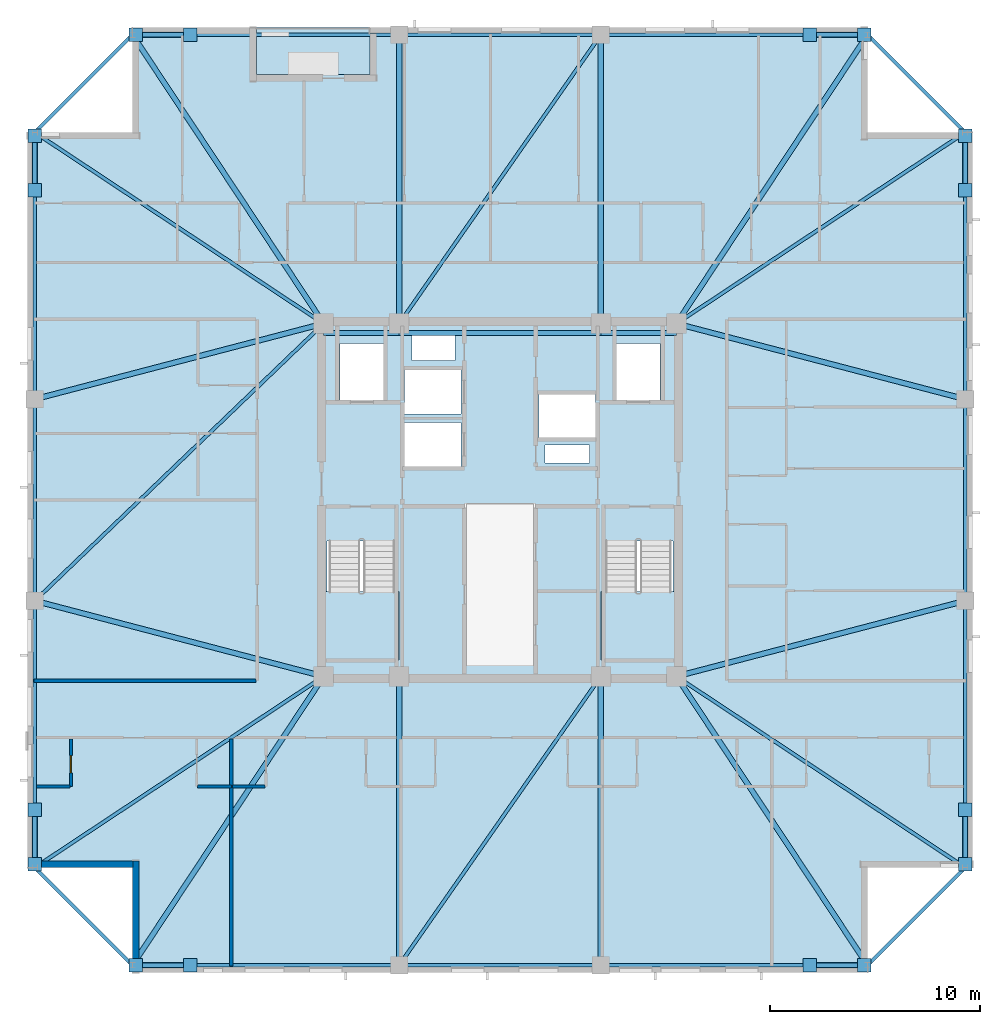
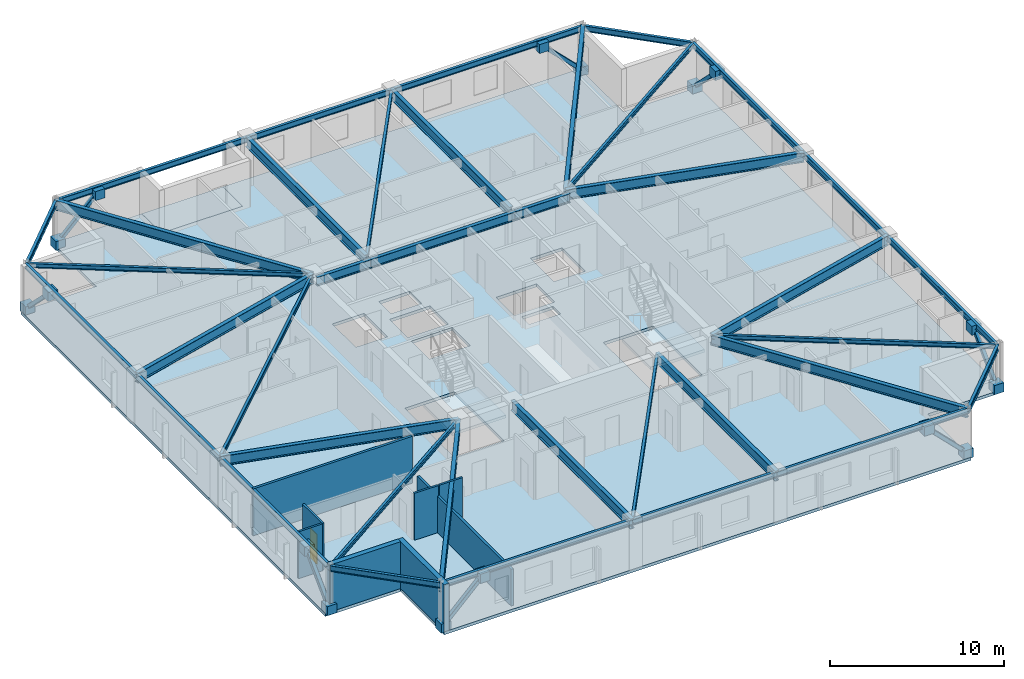
# One storey, part 6 of 17: 38 beams, 16 plates, 8 members, 8 walls, 4 slabs, 1 door, 1 opening, 2 elements without a shape of their own.
"""IFC4 building model written with IfcOpenShell, lengths in metres."""

from ifc_helpers import new_model, si_unit, direction, frame, frame_2d, origin, origin_2d, place, context, subcontext, project, spatial, polyline, rectangle, hollow_rectangle, i_section, outline, extrude, material, layer, layer_set, material_profile, profile_set, type_object, element, fill, aggregate, save


model = new_model("IFC4")

# Units and contexts
model_context = context("Model", 3, precision=1e-05, world=origin(), true_north=direction((0.0, 1.0)))
body_context = subcontext(model_context, "Body", "Model", "MODEL_VIEW")
ifc_project = project(units=[si_unit("LENGTHUNIT", "METRE"), si_unit("AREAUNIT", "SQUARE_METRE"), si_unit("VOLUMEUNIT", "CUBIC_METRE"), si_unit("PLANEANGLEUNIT", "RADIAN"), si_unit("MASSUNIT", "GRAM", prefix="KILO")], contexts=[model_context])

# Site, building, storey
site_placement = place(None, origin())
site = spatial("IfcSite", under=ifc_project, at=site_placement, CompositionType="ELEMENT")
building_placement = place(site_placement, origin())
building = spatial("IfcBuilding", under=site, at=building_placement, Name="Cairnveth Concourse Tower", CompositionType="ELEMENT")
storey_placement = place(building_placement, frame((0.0, 0.0, 220.0)))
storey = spatial("IfcBuildingStorey", under=building, at=storey_placement, Name="L60", CompositionType="ELEMENT", Elevation=220.0)

# Beams
ifc_material_1 = material(Name="Steel Grade 350", Category="steel")
ifc_material_profile_1 = material_profile(ifc_material_1, i_section(OverallWidth=0.22802734375, OverallDepth=0.60693359375, WebThickness=0.01123046875, FlangeThickness=0.017333984375, FilletRadius=0.013916015625, at=origin_2d()), Name="610UB113")
ifc_profile_set_1 = profile_set([ifc_material_profile_1], Name="Steel Grade 350")
beam_type_1 = type_object("IfcBeamType", Name="CORE TIE BEAM 610UB113", PredefinedType="T_BEAM", material=ifc_profile_set_1)
for number, where, z_axis, x_axis, name in (
    (1, (43.60009765625, 46.949951171875, 2.986572265625), (1.0, 0.0, 0.0), (0.0, 1.0, 0.0), "Beam CT-N1 L60"),
    (2, (56.800048828125, 46.949951171875, 2.986572265625), (1.0, 0.0, 0.0), (0.0, 1.0, 0.0), "Beam CT-N3 L60"),
):
    element("IfcBeam", number, at=place(storey_placement, frame(where, z_axis=z_axis, x_axis=x_axis)), inside=storey, type_object=beam_type_1, Name=name, PredefinedType="T_BEAM", context=body_context, shape_type="SweptSolid", body=[
        extrude(i_section(OverallWidth=0.22802734375, OverallDepth=0.60693359375, WebThickness=0.01123046875, FlangeThickness=0.017333984375, FilletRadius=0.013916015625, at=origin_2d()), origin(), (0.0, 0.0, 1.0), 3.599853515625),
    ])
beam_1_placement = place(storey_placement, frame((47.199951171875, 46.949951171875, 2.986572265625), z_axis=(1.0, 0.0, 0.0), x_axis=(0.0, 1.0, 0.0)))
element("IfcBeam", 3, at=beam_1_placement, inside=storey, type_object=beam_type_1, Name="Beam CT-N2 L60", PredefinedType="T_BEAM", context=body_context, shape_type="SweptSolid", body=[
    extrude(i_section(OverallWidth=0.22802734375, OverallDepth=0.60693359375, WebThickness=0.01123046875, FlangeThickness=0.017333984375, FilletRadius=0.013916015625, at=origin_2d()), origin(), (0.0, 0.0, 1.0), 9.60009765625),
])
ifc_material_profile_2 = material_profile(ifc_material_1, i_section(OverallWidth=0.166015625, OverallDepth=0.306884765625, WebThickness=0.006591796875, FlangeThickness=0.01171875, FilletRadius=0.010986328125, at=origin_2d()), Name="310UB46.2")
ifc_profile_set_2 = profile_set([ifc_material_profile_2], Name="Steel Grade 350")
beam_type_2 = type_object("IfcBeamType", Name="ZONE 3 FLOOR JOIST 310UB46.2", PredefinedType="JOIST", material=ifc_profile_set_2)
for number, where, z_axis, x_axis, name in (
    (4, (29.85009765625, 21.5, 3.136474609375), (0.833908956207, 0.551902031848, 0.0), (-0.551902031848, 0.833908956207, 0.0), "Beam FJ-CSW2 L60"),
    (5, (74.14990234375, 21.5, 3.136474609375), (-0.833908956207, 0.551902031848, 0.0), (-0.551902031848, -0.833908956207, 0.0), "Beam FJ-CSE2 L60"),
    (6, (74.14990234375, 56.5, 3.136474609375), (-0.833908956207, -0.551902031848, 0.0), (0.551902031848, -0.833908956207, 0.0), "Beam FJ-CNE2 L60"),
    (7, (29.85009765625, 56.5, 3.136474609375), (0.833908956207, -0.551902031848, 0.0), (0.551902031848, 0.833908956207, 0.0), "Beam FJ-CNW2 L60"),
):
    element("IfcBeam", number, at=place(storey_placement, frame(where, z_axis=z_axis, x_axis=x_axis)), inside=storey, type_object=beam_type_2, Name=name, PredefinedType="JOIST", context=body_context, shape_type="SweptSolid", body=[
        extrude(i_section(OverallWidth=0.166015625, OverallDepth=0.306884765625, WebThickness=0.006591796875, FlangeThickness=0.01171875, FilletRadius=0.010986328125, at=origin_2d()), origin(), (0.0, 0.0, 1.0), 16.488525390625),
    ])
for number, where, z_axis, x_axis, name in (
    (8, (47.199951171875, 16.85009765625, 3.136474609375), (0.572465304893, 0.819928944905, 0.0), (-0.819928944905, 0.572465304893, 0.0), "Beam FJ-S-M1 L60"),
    (9, (47.199951171875, 47.39990234375, 3.136474609375), (0.572465304893, 0.819928944905, 0.0), (-0.819928944905, 0.572465304893, 0.0), "Beam FJ-N-M1 L60"),
):
    element("IfcBeam", number, at=place(storey_placement, frame(where, z_axis=z_axis, x_axis=x_axis)), inside=storey, type_object=beam_type_2, Name=name, PredefinedType="JOIST", context=body_context, shape_type="SweptSolid", body=[
        extrude(i_section(OverallWidth=0.166015625, OverallDepth=0.306884765625, WebThickness=0.006591796875, FlangeThickness=0.01171875, FilletRadius=0.010986328125, at=origin_2d()), origin(), (0.0, 0.0, 1.0), 16.769775390625),
    ])
beam_2_placement = place(storey_placement, frame((29.85009765625, 34.199951171875, 3.136474609375), z_axis=(0.721388600838, 0.692530495055, 0.0), x_axis=(-0.692530495055, 0.721388600838, 0.0)))
element("IfcBeam", 10, at=beam_2_placement, inside=storey, type_object=beam_type_2, Name="Beam FJ-W-M1 L60", PredefinedType="JOIST", context=body_context, shape_type="SweptSolid", body=[
    extrude(i_section(OverallWidth=0.166015625, OverallDepth=0.306884765625, WebThickness=0.006591796875, FlangeThickness=0.01171875, FilletRadius=0.010986328125, at=origin_2d()), origin(), (0.0, 0.0, 1.0), 19.060546875),
])

# Members
ifc_material_2 = material(Name="Steel C350L0 (350 MPa)", Category="steel")
ifc_material_profile_3 = material_profile(ifc_material_2, hollow_rectangle(XDim=0.25, YDim=0.25, WallThickness=0.012451171875, InnerFilletRadius=0.012939453125, OuterFilletRadius=0.02490234375, at=origin_2d()), Name="250x250x12.5SHS")
ifc_profile_set_3 = profile_set([ifc_material_profile_3], Name="Steel C350L0 (350 MPa)")
member_type = type_object("IfcMemberType", Name="ZONE 3 PIER BRACE 250X250X12.5SHS", PredefinedType="BRACE", material=ifc_profile_set_3)
for number, where, z_axis, x_axis, name in (
    (11, (34.64990234375, 16.85009765625, 0.25), (0.708469186186, 0.0, 0.705741746126), (0.0, 1.0, 0.0), "Structural Brace PB-S1 L60"),
    (12, (69.35009765625, 16.85009765625, 0.25), (-0.708469186186, 0.0, 0.705741746126), (0.0, -1.0, 0.0), "Structural Brace PB-S2 L60"),
    (13, (34.64990234375, 61.14990234375, 0.25), (0.708469186186, 0.0, 0.705741746126), (0.0, 1.0, 0.0), "Structural Brace PB-N1 L60"),
    (14, (69.35009765625, 61.14990234375, 0.25), (-0.708469186186, 0.0, 0.705741746126), (0.0, -1.0, 0.0), "Structural Brace PB-N2 L60"),
    (15, (29.85009765625, 21.64990234375, 0.25), (0.0, 0.708469186186, 0.705741746126), (-1.0, 0.0, 0.0), "Structural Brace PB-W1 L60"),
    (16, (29.85009765625, 56.35009765625, 0.25), (0.0, -0.708469186186, 0.705741746126), (1.0, 0.0, 0.0), "Structural Brace PB-W2 L60"),
    (17, (74.14990234375, 21.64990234375, 0.25), (0.0, 0.708469186186, 0.705741746126), (-1.0, 0.0, 0.0), "Structural Brace PB-E1 L60"),
    (18, (74.14990234375, 56.35009765625, 0.25), (0.0, -0.708469186186, 0.705741746126), (1.0, 0.0, 0.0), "Structural Brace PB-E2 L60"),
):
    element("IfcMember", number, at=place(storey_placement, frame(where, z_axis=z_axis, x_axis=x_axis)), inside=storey, type_object=member_type, Name=name, PredefinedType="BRACE", context=body_context, shape_type="SweptSolid", body=[
        extrude(hollow_rectangle(XDim=0.25, YDim=0.25, WallThickness=0.012451171875, InnerFilletRadius=0.012939453125, OuterFilletRadius=0.02490234375, at=origin_2d()), origin(), (0.0, 0.0, 1.0), 3.669921875),
    ])

# Beams
ifc_material_profile_4 = material_profile(ifc_material_1, i_section(OverallWidth=0.25, OverallDepth=0.69189453125, WebThickness=0.010009765625, FlangeThickness=0.02490234375, at=origin_2d()), Name="700WB150")
ifc_profile_set_4 = profile_set([ifc_material_profile_4], Name="Steel Grade 350")
beam_type_3 = type_object("IfcBeamType", Name="ZONE 3 RADIAL GIRDER 700WB150", PredefinedType="BEAM", material=ifc_profile_set_4)
for number, where, z_axis, x_axis, name in (
    (19, (47.199951171875, 16.85009765625, 2.944091796875), (0.0, 1.0, 0.0), (-1.0, 0.0, 0.0), "Beam RG-S1 L60"),
    (20, (56.800048828125, 16.85009765625, 2.944091796875), (0.0, 1.0, 0.0), (-1.0, 0.0, 0.0), "Beam RG-S2 L60"),
    (21, (47.199951171875, 47.39990234375, 2.944091796875), (0.0, 1.0, 0.0), (-1.0, 0.0, 0.0), "Beam RG-N1 L60"),
    (22, (56.800048828125, 47.39990234375, 2.944091796875), (0.0, 1.0, 0.0), (-1.0, 0.0, 0.0), "Beam RG-N2 L60"),
):
    element("IfcBeam", number, at=place(storey_placement, frame(where, z_axis=z_axis, x_axis=x_axis)), inside=storey, type_object=beam_type_3, Name=name, PredefinedType="BEAM", context=body_context, shape_type="SweptSolid", body=[
        extrude(i_section(OverallWidth=0.25, OverallDepth=0.69189453125, WebThickness=0.010009765625, FlangeThickness=0.02490234375, at=origin_2d()), origin(), (0.0, 0.0, 1.0), 13.75),
    ])
for number, where, z_axis, x_axis, name in (
    (23, (29.85009765625, 34.199951171875, 2.944091796875), (0.967395273598, -0.253271365575, 0.0), (0.253271365575, 0.967395273598, 0.0), "Beam RG-W1 L60"),
    (24, (29.85009765625, 43.800048828125, 2.944091796875), (0.967395273598, 0.253271365575, 0.0), (-0.253271365575, 0.967395273598, 0.0), "Beam RG-W2 L60"),
    (25, (60.39990234375, 30.60009765625, 2.944091796875), (0.967395273598, 0.253271365575, 0.0), (-0.253271365575, 0.967395273598, 0.0), "Beam RG-E1 L60"),
    (26, (60.39990234375, 47.39990234375, 2.944091796875), (0.967395273598, -0.253271365575, 0.0), (0.253271365575, 0.967395273598, 0.0), "Beam RG-E2 L60"),
):
    element("IfcBeam", number, at=place(storey_placement, frame(where, z_axis=z_axis, x_axis=x_axis)), inside=storey, type_object=beam_type_3, Name=name, PredefinedType="BEAM", context=body_context, shape_type="SweptSolid", body=[
        extrude(i_section(OverallWidth=0.25, OverallDepth=0.69189453125, WebThickness=0.010009765625, FlangeThickness=0.02490234375, at=origin_2d()), origin(), (0.0, 0.0, 1.0), 14.21337890625),
    ])
for number, where, z_axis, x_axis, name in (
    (27, (34.5, 16.85009765625, 2.944091796875), (0.551902031848, 0.833908956207, 0.0), (-0.833908956207, 0.551902031848, 0.0), "Beam RG-CSW L60"),
    (28, (69.5, 16.85009765625, 2.944091796875), (-0.551902031848, 0.833908956207, 0.0), (-0.833908956207, -0.551902031848, 0.0), "Beam RG-CSE L60"),
    (29, (69.5, 61.14990234375, 2.944091796875), (-0.551902031848, -0.833908956207, 0.0), (0.833908956207, -0.551902031848, 0.0), "Beam RG-CNE L60"),
    (30, (34.5, 61.14990234375, 2.944091796875), (0.551902031848, -0.833908956207, 0.0), (0.833908956207, 0.551902031848, 0.0), "Beam RG-CNW L60"),
):
    element("IfcBeam", number, at=place(storey_placement, frame(where, z_axis=z_axis, x_axis=x_axis)), inside=storey, type_object=beam_type_3, Name=name, PredefinedType="BEAM", context=body_context, shape_type="SweptSolid", body=[
        extrude(i_section(OverallWidth=0.25, OverallDepth=0.69189453125, WebThickness=0.010009765625, FlangeThickness=0.02490234375, at=origin_2d()), origin(), (0.0, 0.0, 1.0), 16.488525390625),
    ])
ifc_material_profile_5 = material_profile(ifc_material_1, i_section(OverallWidth=0.177978515625, OverallDepth=0.406005859375, WebThickness=0.0078125, FlangeThickness=0.0126953125, FilletRadius=0.010986328125, at=origin_2d()), Name="410UB59.7")
ifc_profile_set_5 = profile_set([ifc_material_profile_5], Name="Steel Grade 350")
beam_type_4 = type_object("IfcBeamType", Name="ZONE 3 SPANDREL BEAM 410UB59.7", PredefinedType="SPANDREL", material=ifc_profile_set_5)
beam_3_placement = place(storey_placement, frame((34.5, 16.85009765625, 3.0869140625), z_axis=(1.0, 0.0, 0.0), x_axis=(0.0, 1.0, 0.0)))
element("IfcBeam", 31, at=beam_3_placement, inside=storey, type_object=beam_type_4, Name="Beam SP-S1 L60", PredefinedType="SPANDREL", context=body_context, shape_type="SweptSolid", body=[
    extrude(i_section(OverallWidth=0.177978515625, OverallDepth=0.406005859375, WebThickness=0.0078125, FlangeThickness=0.0126953125, FilletRadius=0.010986328125, at=origin_2d()), origin(), (0.0, 0.0, 1.0), 12.699951171875),
])
beam_4_placement = place(storey_placement, frame((47.199951171875, 16.85009765625, 3.0869140625), z_axis=(1.0, 0.0, 0.0), x_axis=(0.0, 1.0, 0.0)))
element("IfcBeam", 32, at=beam_4_placement, inside=storey, type_object=beam_type_4, Name="Beam SP-S2 L60", PredefinedType="SPANDREL", context=body_context, shape_type="SweptSolid", body=[
    extrude(i_section(OverallWidth=0.177978515625, OverallDepth=0.406005859375, WebThickness=0.0078125, FlangeThickness=0.0126953125, FilletRadius=0.010986328125, at=origin_2d()), origin(), (0.0, 0.0, 1.0), 9.60009765625),
])
for number, where, z_axis, x_axis, name in (
    (33, (56.800048828125, 16.85009765625, 3.0869140625), (1.0, 0.0, 0.0), (0.0, 1.0, 0.0), "Beam SP-S3 L60"),
    (34, (34.5, 61.14990234375, 3.0869140625), (1.0, 0.0, 0.0), (0.0, 1.0, 0.0), "Beam SP-N1 L60"),
):
    element("IfcBeam", number, at=place(storey_placement, frame(where, z_axis=z_axis, x_axis=x_axis)), inside=storey, type_object=beam_type_4, Name=name, PredefinedType="SPANDREL", context=body_context, shape_type="SweptSolid", body=[
        extrude(i_section(OverallWidth=0.177978515625, OverallDepth=0.406005859375, WebThickness=0.0078125, FlangeThickness=0.0126953125, FilletRadius=0.010986328125, at=origin_2d()), origin(), (0.0, 0.0, 1.0), 12.699951171875),
    ])
beam_5_placement = place(storey_placement, frame((47.199951171875, 61.14990234375, 3.0869140625), z_axis=(1.0, 0.0, 0.0), x_axis=(0.0, 1.0, 0.0)))
element("IfcBeam", 35, at=beam_5_placement, inside=storey, type_object=beam_type_4, Name="Beam SP-N2 L60", PredefinedType="SPANDREL", context=body_context, shape_type="SweptSolid", body=[
    extrude(i_section(OverallWidth=0.177978515625, OverallDepth=0.406005859375, WebThickness=0.0078125, FlangeThickness=0.0126953125, FilletRadius=0.010986328125, at=origin_2d()), origin(), (0.0, 0.0, 1.0), 9.60009765625),
])
for number, where, z_axis, x_axis, name in (
    (36, (56.800048828125, 61.14990234375, 3.0869140625), (1.0, 0.0, 0.0), (0.0, 1.0, 0.0), "Beam SP-N3 L60"),
    (37, (29.85009765625, 21.5, 3.0869140625), (0.0, 1.0, 0.0), (-1.0, 0.0, 0.0), "Beam SP-W1 L60"),
):
    element("IfcBeam", number, at=place(storey_placement, frame(where, z_axis=z_axis, x_axis=x_axis)), inside=storey, type_object=beam_type_4, Name=name, PredefinedType="SPANDREL", context=body_context, shape_type="SweptSolid", body=[
        extrude(i_section(OverallWidth=0.177978515625, OverallDepth=0.406005859375, WebThickness=0.0078125, FlangeThickness=0.0126953125, FilletRadius=0.010986328125, at=origin_2d()), origin(), (0.0, 0.0, 1.0), 12.699951171875),
    ])
beam_6_placement = place(storey_placement, frame((29.85009765625, 34.199951171875, 3.0869140625), z_axis=(0.0, 1.0, 0.0), x_axis=(-1.0, 0.0, 0.0)))
element("IfcBeam", 38, at=beam_6_placement, inside=storey, type_object=beam_type_4, Name="Beam SP-W2 L60", PredefinedType="SPANDREL", context=body_context, shape_type="SweptSolid", body=[
    extrude(i_section(OverallWidth=0.177978515625, OverallDepth=0.406005859375, WebThickness=0.0078125, FlangeThickness=0.0126953125, FilletRadius=0.010986328125, at=origin_2d()), origin(), (0.0, 0.0, 1.0), 9.60009765625),
])
for number, where, z_axis, x_axis, name in (
    (39, (29.85009765625, 43.800048828125, 3.0869140625), (0.0, 1.0, 0.0), (-1.0, 0.0, 0.0), "Beam SP-W3 L60"),
    (40, (74.14990234375, 21.5, 3.0869140625), (0.0, 1.0, 0.0), (-1.0, 0.0, 0.0), "Beam SP-E1 L60"),
):
    element("IfcBeam", number, at=place(storey_placement, frame(where, z_axis=z_axis, x_axis=x_axis)), inside=storey, type_object=beam_type_4, Name=name, PredefinedType="SPANDREL", context=body_context, shape_type="SweptSolid", body=[
        extrude(i_section(OverallWidth=0.177978515625, OverallDepth=0.406005859375, WebThickness=0.0078125, FlangeThickness=0.0126953125, FilletRadius=0.010986328125, at=origin_2d()), origin(), (0.0, 0.0, 1.0), 12.699951171875),
    ])
beam_7_placement = place(storey_placement, frame((74.14990234375, 34.199951171875, 3.0869140625), z_axis=(0.0, 1.0, 0.0), x_axis=(-1.0, 0.0, 0.0)))
element("IfcBeam", 41, at=beam_7_placement, inside=storey, type_object=beam_type_4, Name="Beam SP-E2 L60", PredefinedType="SPANDREL", context=body_context, shape_type="SweptSolid", body=[
    extrude(i_section(OverallWidth=0.177978515625, OverallDepth=0.406005859375, WebThickness=0.0078125, FlangeThickness=0.0126953125, FilletRadius=0.010986328125, at=origin_2d()), origin(), (0.0, 0.0, 1.0), 9.60009765625),
])
beam_8_placement = place(storey_placement, frame((74.14990234375, 43.800048828125, 3.0869140625), z_axis=(0.0, 1.0, 0.0), x_axis=(-1.0, 0.0, 0.0)))
element("IfcBeam", 42, at=beam_8_placement, inside=storey, type_object=beam_type_4, Name="Beam SP-E3 L60", PredefinedType="SPANDREL", context=body_context, shape_type="SweptSolid", body=[
    extrude(i_section(OverallWidth=0.177978515625, OverallDepth=0.406005859375, WebThickness=0.0078125, FlangeThickness=0.0126953125, FilletRadius=0.010986328125, at=origin_2d()), origin(), (0.0, 0.0, 1.0), 12.699951171875),
])
for number, where, z_axis, x_axis, name in (
    (43, (29.85009765625, 21.5, 3.0869140625), (0.707106781187, -0.707106781187, 0.0), (0.707106781187, 0.707106781187, 0.0), "Beam SP-SW L60"),
    (44, (69.5, 16.85009765625, 3.0869140625), (0.707106781187, 0.707106781187, 0.0), (-0.707106781187, 0.707106781187, 0.0), "Beam SP-SE L60"),
    (45, (69.5, 61.14990234375, 3.0869140625), (0.707106781187, -0.707106781187, 0.0), (0.707106781187, 0.707106781187, 0.0), "Beam SP-NE L60"),
    (46, (29.85009765625, 56.5, 3.0869140625), (0.707106781187, 0.707106781187, 0.0), (-0.707106781187, 0.707106781187, 0.0), "Beam SP-NW L60"),
):
    element("IfcBeam", number, at=place(storey_placement, frame(where, z_axis=z_axis, x_axis=x_axis)), inside=storey, type_object=beam_type_4, Name=name, PredefinedType="SPANDREL", context=body_context, shape_type="SweptSolid", body=[
        extrude(i_section(OverallWidth=0.177978515625, OverallDepth=0.406005859375, WebThickness=0.0078125, FlangeThickness=0.0126953125, FilletRadius=0.010986328125, at=origin_2d()), origin(), (0.0, 0.0, 1.0), 6.575927734375),
    ])

# Plates
ifc_layer_1 = layer(ifc_material_1, 0.031982421875)
ifc_layer_set_1 = layer_set([ifc_layer_1], Name="Steel Grade 350")
plate_type = type_object("IfcPlateType", Name="PERIMETER BRACE GUSSET PLATE 32", PredefinedType="USERDEFINED", material=ifc_layer_set_1)
for number, where, z_axis, x_axis, name in (
    (47, (34.64990234375, 16.85009765625, -0.06982421875), (0.0, 0.0, 1.0), (1.0, 0.0, 0.0), "Structural Node Plate 1045 L60"),
    (48, (37.25, 16.85009765625, 2.52001953125), (0.0, 0.0, 1.0), (1.0, 0.0, 0.0), "Structural Node Plate 1046 L60"),
    (49, (69.35009765625, 16.85009765625, -0.06982421875), (0.0, 0.0, 1.0), (1.0, 0.0, 0.0), "Structural Node Plate 1047 L60"),
    (50, (66.75, 16.85009765625, 2.52001953125), (0.0, 0.0, 1.0), (1.0, 0.0, 0.0), "Structural Node Plate 1048 L60"),
    (51, (34.64990234375, 61.14990234375, -0.06982421875), (0.0, 0.0, 1.0), (1.0, 0.0, 0.0), "Structural Node Plate 1049 L60"),
    (52, (37.25, 61.14990234375, 2.52001953125), (0.0, 0.0, 1.0), (1.0, 0.0, 0.0), "Structural Node Plate 1050 L60"),
    (53, (69.35009765625, 61.14990234375, -0.06982421875), (0.0, 0.0, 1.0), (1.0, 0.0, 0.0), "Structural Node Plate 1051 L60"),
    (54, (66.75, 61.14990234375, 2.52001953125), (0.0, 0.0, 1.0), (1.0, 0.0, 0.0), "Structural Node Plate 1052 L60"),
    (55, (29.85009765625, 21.64990234375, -0.06982421875), (0.0, 0.0, 1.0), (1.0, 0.0, 0.0), "Structural Node Plate 1053 L60"),
    (56, (29.85009765625, 24.25, 2.52001953125), (0.0, 0.0, 1.0), (1.0, 0.0, 0.0), "Structural Node Plate 1054 L60"),
    (57, (29.85009765625, 56.35009765625, -0.06982421875), (0.0, 0.0, 1.0), (1.0, 0.0, 0.0), "Structural Node Plate 1055 L60"),
    (58, (29.85009765625, 53.75, 2.52001953125), (0.0, 0.0, 1.0), (1.0, 0.0, 0.0), "Structural Node Plate 1056 L60"),
    (59, (74.14990234375, 21.64990234375, -0.06982421875), (0.0, 0.0, 1.0), (1.0, 0.0, 0.0), "Structural Node Plate 1057 L60"),
    (60, (74.14990234375, 24.25, 2.52001953125), (0.0, 0.0, 1.0), (1.0, 0.0, 0.0), "Structural Node Plate 1058 L60"),
    (61, (74.14990234375, 56.35009765625, -0.06982421875), (0.0, 0.0, 1.0), (1.0, 0.0, 0.0), "Structural Node Plate 1059 L60"),
    (62, (74.14990234375, 53.75, 2.52001953125), (0.0, 0.0, 1.0), (1.0, 0.0, 0.0), "Structural Node Plate 1060 L60"),
):
    element("IfcPlate", number, at=place(storey_placement, frame(where, z_axis=z_axis, x_axis=x_axis)), inside=storey, type_object=plate_type, Name=name, ObjectType="GUSSET PLATE", PredefinedType="USERDEFINED", context=body_context, shape_type="SweptSolid", body=[
        extrude(rectangle(XDim=0.639892578125, YDim=0.639892578125, at=origin_2d()), origin(), (0.0, 0.0, 1.0), 0.639892578125),
    ])

# Slab
ifc_material_3 = material(Name="Concrete N50 (50 MPa)", Category="concrete")
ifc_layer_2 = layer(ifc_material_3, 0.18994140625)
ifc_layer_set_2 = layer_set([ifc_layer_2], Name="Concrete N50 (50 MPa)")
slab_type_1 = type_object("IfcSlabType", Name="SPIRAL OUTDOOR TERRACE SLAB 190", PredefinedType="FLOOR", material=ifc_layer_set_2)
slab_1_placement = place(storey_placement, frame((0.0, 0.0, -0.18994140625)))
element("IfcSlab", 63, at=slab_1_placement, inside=storey, type_object=slab_type_1, Name="Spiral Terrace Slab L60", PredefinedType="FLOOR", context=body_context, shape_type="SweptSolid", body=[
    extrude(outline(polyline([(40.39990234375, 59.25), (45.800048828125, 59.25), (45.800048828125, 61.5), (40.39990234375, 61.5), (40.39990234375, 59.25)])), origin(), (0.0, 0.0, 1.0), 0.18994140625),
])

# Stair, slab
ifc_material_4 = material(Name="Precast concrete N50 (50 MPa)", Category="concrete")
stair_type = type_object("IfcStairType", Name="CORE DOG-LEG FIRE STAIR 1500", PredefinedType="HALF_TURN_STAIR", material=ifc_material_4)
stair_1_placement = place(storey_placement, origin())
stair_1 = element("IfcStair", 64, at=stair_1_placement, inside=storey, type_object=stair_type, Name="L60 Fire-Isolated Stair ST-1", PredefinedType="HALF_TURN_STAIR")
ifc_layer_3 = layer(ifc_material_3, 0.199951171875)
ifc_layer_set_3 = layer_set([ifc_layer_3], Name="Concrete N50 (50 MPa)")
slab_type_2 = type_object("IfcSlabType", Name="STAIR HALF LANDING SLAB 200", PredefinedType="LANDING", material=ifc_layer_set_3)
slab_2_placement = place(storey_placement, frame((0.0, 0.0, 1.550048828125)))
slab_2 = element("IfcSlab", 65, at=slab_2_placement, type_object=slab_type_2, Name="ST-1 landing 1", PredefinedType="LANDING", context=body_context, shape_type="SweptSolid", body=[
    extrude(outline(polyline([(43.6201171875, 34.639892578125), (43.6201171875, 31.3701171875), (47.199951171875, 31.3701171875), (47.199951171875, 34.639892578125), (43.6201171875, 34.639892578125)])), origin(), (0.0, 0.0, 1.0), 0.199951171875),
])
aggregate(stair_1, [slab_2])

stair_2_placement = place(storey_placement, origin())
stair_2 = element("IfcStair", 66, at=stair_2_placement, inside=storey, type_object=stair_type, Name="L60 Fire-Isolated Stair ST-2", PredefinedType="HALF_TURN_STAIR")
slab_3_placement = place(storey_placement, frame((0.0, 0.0, 1.550048828125)))
slab_3 = element("IfcSlab", 67, at=slab_3_placement, type_object=slab_type_2, Name="ST-2 landing 1", PredefinedType="LANDING", context=body_context, shape_type="SweptSolid", body=[
    extrude(outline(polyline([(56.800048828125, 34.639892578125), (56.800048828125, 31.3701171875), (60.3798828125, 31.3701171875), (60.3798828125, 34.639892578125), (56.800048828125, 34.639892578125)])), origin(), (0.0, 0.0, 1.0), 0.199951171875),
])
aggregate(stair_2, [slab_3])

# Slab
ifc_layer_4 = layer(ifc_material_3, 0.2099609375)
ifc_layer_set_4 = layer_set([ifc_layer_4], Name="Concrete N50 (50 MPa)")
slab_type_3 = type_object("IfcSlabType", Name="UPPER TOWER COMPOSITE SLAB 210", PredefinedType="FLOOR", material=ifc_layer_set_4)
slab_4_placement = place(storey_placement, frame((0.0, 0.0, -0.2099609375)))
element("IfcSlab", 68, at=slab_4_placement, inside=storey, type_object=slab_type_3, Name="Tower Floor Slab L60", PredefinedType="FLOOR", context=body_context, shape_type="SweptSolid", body=[
    extrude(outline(polyline([(45.800048828125, 61.5), (45.800048828125, 59.25), (40.39990234375, 59.25), (40.39990234375, 61.5), (34.5, 61.5), (34.5, 56.5), (29.5, 56.5), (29.5, 21.5), (34.5, 21.5), (34.5, 16.5), (69.5, 16.5), (69.5, 21.5), (74.5, 21.5), (74.5, 56.5), (69.5, 56.5), (69.5, 61.5), (45.800048828125, 61.5)]), holes=[polyline([(43.760009765625, 31.360107421875), (47.06005859375, 31.360107421875), (47.06005859375, 37.0400390625), (43.760009765625, 37.0400390625), (43.760009765625, 31.360107421875)]), polyline([(56.93994140625, 31.360107421875), (60.239990234375, 31.360107421875), (60.239990234375, 37.0400390625), (56.93994140625, 37.0400390625), (56.93994140625, 31.360107421875)]), polyline([(44.3701171875, 43.75), (46.469970703125, 43.75), (46.469970703125, 46.449951171875), (44.3701171875, 46.449951171875), (44.3701171875, 43.75)]), polyline([(57.530029296875, 43.75), (59.6298828125, 43.75), (59.6298828125, 46.449951171875), (57.530029296875, 46.449951171875), (57.530029296875, 43.75)]), polyline([(47.449951171875, 40.60009765625), (50.14990234375, 40.60009765625), (50.14990234375, 42.699951171875), (47.449951171875, 42.699951171875), (47.449951171875, 40.60009765625)]), polyline([(47.449951171875, 43.10009765625), (50.14990234375, 43.10009765625), (50.14990234375, 45.199951171875), (47.449951171875, 45.199951171875), (47.449951171875, 43.10009765625)]), polyline([(53.85009765625, 41.949951171875), (56.550048828125, 41.949951171875), (56.550048828125, 44.050048828125), (53.85009765625, 44.050048828125), (53.85009765625, 41.949951171875)]), polyline([(47.800048828125, 45.64990234375), (49.85009765625, 45.64990234375), (49.85009765625, 47.050048828125), (47.800048828125, 47.050048828125), (47.800048828125, 45.64990234375)]), polyline([(54.14990234375, 40.75), (56.25, 40.75), (56.25, 41.6201171875), (54.14990234375, 41.6201171875), (54.14990234375, 40.75)])]), origin(), (0.0, 0.0, 1.0), 0.2099609375),
])

# Walls
ifc_material_5 = material(Name="Gypsum Plasterboard Partition", Category="gypsum")
ifc_layer_5 = layer(ifc_material_5, 0.159912109375)
ifc_layer_set_5 = layer_set([ifc_layer_5], Name="Gypsum Plasterboard Partition")
wall_type_1 = type_object("IfcWallType", Name="ACOUSTIC PARTY WALL 180", PredefinedType="PARTITIONING", material=ifc_layer_set_5)
wall_1_placement = place(storey_placement, frame((29.804931640625, 30.39990234375, 0.0), z_axis=(0.0, 0.0, 1.0), x_axis=(1.0, 0.0, 0.0)))
element("IfcWall", 69, at=wall_1_placement, inside=storey, type_object=wall_type_1, Name="Interior Wall IW-L60-038", PredefinedType="PARTITIONING", context=body_context, shape_type="SweptSolid", body=[
    extrude(rectangle(XDim=10.580078125, YDim=0.159912109375, at=frame_2d((5.2900390625, 0.0))), origin(), (0.0, 0.0, 1.0), 3.2900390625),
])
wall_2_placement = place(storey_placement, frame((39.20703125, 16.804931640625, 0.0), z_axis=(0.0, 0.0, 1.0), x_axis=(0.0, 1.0, 0.0)))
element("IfcWall", 70, at=wall_2_placement, inside=storey, type_object=wall_type_1, Name="Interior Wall IW-L60-046", PredefinedType="PARTITIONING", context=body_context, shape_type="SweptSolid", body=[
    extrude(rectangle(XDim=10.80517578125, YDim=0.159912109375, at=frame_2d((5.402587890625, 0.0))), origin(), (0.0, 0.0, 1.0), 2.572998046875),
])

# Wall, opening, door
ifc_layer_6 = layer(ifc_material_5, 0.1298828125)
ifc_layer_set_6 = layer_set([ifc_layer_6], Name="Gypsum Plasterboard Partition")
wall_type_2 = type_object("IfcWallType", Name="WET AREA PARTITION 140", PredefinedType="PLUMBINGWALL", material=ifc_layer_set_6)
wall_3_placement = place(storey_placement, frame((31.570068359375, 25.360107421875, 0.0), z_axis=(0.0, 0.0, 1.0), x_axis=(0.0, 1.0, 0.0)))
wall_3 = element("IfcWall", 71, at=wall_3_placement, inside=storey, type_object=wall_type_2, Name="Interior Wall IW-L60-042", PredefinedType="PLUMBINGWALL", context=body_context, shape_type="SweptSolid", body=[
    extrude(rectangle(XDim=2.25, YDim=0.1298828125, at=frame_2d((1.125, 0.0))), origin(), (0.0, 0.0, 1.0), 3.2900390625),
])
opening_placement = place(wall_3_placement, frame((0.64990234375, 0.0, 0.0)))
opening = element("IfcOpeningElement", 72, at=opening_placement, cuts=wall_3, Name="Opening ID22", PredefinedType="OPENING", context=body_context, shape_type="SweptSolid", body=[
    extrude(rectangle(XDim=0.820068359375, YDim=2.10009765625, at=frame_2d((0.41015625, 1.050048828125))), frame((0.0, 0.074951171875, 0.0), z_axis=(0.0, -1.0, 0.0), x_axis=(1.0, 0.0, 0.0)), (0.0, 0.0, 1.0), 0.14990234375),
])
ifc_material_6 = material(Name="Solid Core Hardwood Timber Leaf", Category="wood")
door_type = type_object("IfcDoorType", Name="INTERIOR WC DOOR 820X2100", OperationType="NOTDEFINED", PredefinedType="DOOR", material=ifc_material_6)
door_placement = place(opening_placement, origin())
door = element("IfcDoor", 73, at=door_placement, inside=storey, type_object=door_type, Name="L60STS1 Bathroom Door", OperationType="SINGLE_SWING_LEFT", OverallHeight=2.10009765625, OverallWidth=0.820068359375, PredefinedType="DOOR", context=body_context, shape_type="SweptSolid", body=[
    extrude(rectangle(XDim=0.820068359375, YDim=2.10009765625, at=frame_2d((0.41015625, 1.050048828125))), frame((0.0, 0.02490234375, 0.0), z_axis=(0.0, -1.0, 0.0), x_axis=(1.0, 0.0, 0.0)), (0.0, 0.0, 1.0), 0.050048828125),
])
fill(opening, door)

# Walls
for number, where, z_axis, x_axis, name in (
    (74, (29.919921875, 25.360107421875, 0.0), (0.0, 0.0, 1.0), (1.0, 0.0, 0.0), "Interior Wall IW-L60-043"),
    (75, (37.60693359375, 25.360107421875, 0.0), (0.0, 0.0, 1.0), (1.0, 0.0, 0.0), "Interior Wall IW-L60-045"),
):
    element("IfcWall", number, at=place(storey_placement, frame(where, z_axis=z_axis, x_axis=x_axis)), inside=storey, type_object=wall_type_2, Name=name, PredefinedType="PLUMBINGWALL", context=body_context, shape_type="SweptSolid", body=[
        extrude(rectangle(XDim=1.60009765625, YDim=0.1298828125, at=frame_2d((0.800048828125, 0.0))), origin(), (0.0, 0.0, 1.0), 3.2900390625),
    ])
wall_4_placement = place(storey_placement, frame((39.27197265625, 25.360107421875, 0.0), z_axis=(0.0, 0.0, 1.0), x_axis=(1.0, 0.0, 0.0)))
element("IfcWall", 76, at=wall_4_placement, inside=storey, type_object=wall_type_2, Name="Interior Wall IW-L60-048", PredefinedType="PLUMBINGWALL", context=body_context, shape_type="SweptSolid", body=[
    extrude(rectangle(XDim=1.534912109375, YDim=0.1298828125, at=frame_2d((0.767578125, 0.0))), origin(), (0.0, 0.0, 1.0), 3.2900390625),
])
ifc_material_7 = material(Name="Melbourne Buff Fired Clay Brick Masonry", Category="masonry")
ifc_layer_7 = layer(ifc_material_7, 0.320068359375)
ifc_layer_set_7 = layer_set([ifc_layer_7], Name="Melbourne Buff Fired Clay Brick Masonry")
wall_type_3 = type_object("IfcWallType", Name="ZONE 3 BRICK PIER SPANDREL WALL 320", PredefinedType="SOLIDWALL", material=ifc_layer_set_7)
wall_5_placement = place(storey_placement, frame((34.659912109375, 16.5, 0.0), z_axis=(0.0, 0.0, 1.0), x_axis=(0.0, 1.0, 0.0)))
element("IfcWall", 77, at=wall_5_placement, inside=storey, type_object=wall_type_3, Name="Exterior Wall EW-L60-S07", PredefinedType="SOLIDWALL", context=body_context, shape_type="SweptSolid", body=[
    extrude(rectangle(XDim=5.320068359375, YDim=0.320068359375, at=frame_2d((2.66015625, 0.0))), origin(), (0.0, 0.0, 1.0), 3.2900390625),
])
wall_6_placement = place(storey_placement, frame((34.52197265625, 21.659912109375, 0.0), z_axis=(0.0, 0.0, 1.0), x_axis=(-1.0, 0.0, 0.0)))
element("IfcWall", 78, at=wall_6_placement, inside=storey, type_object=wall_type_3, Name="Exterior Wall EW-L60-S08", PredefinedType="SOLIDWALL", context=body_context, shape_type="SweptSolid", body=[
    extrude(rectangle(XDim=4.723876953125, YDim=0.320068359375, at=frame_2d((2.36181640625, 0.0))), origin(), (0.0, 0.0, 1.0), 3.2900390625),
])

save(model, "model.ifc")
